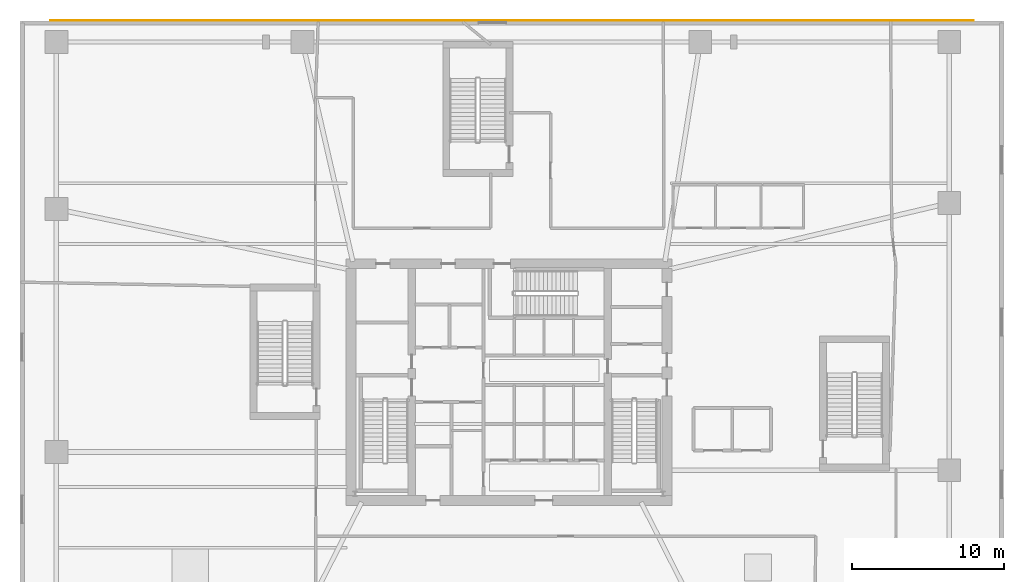
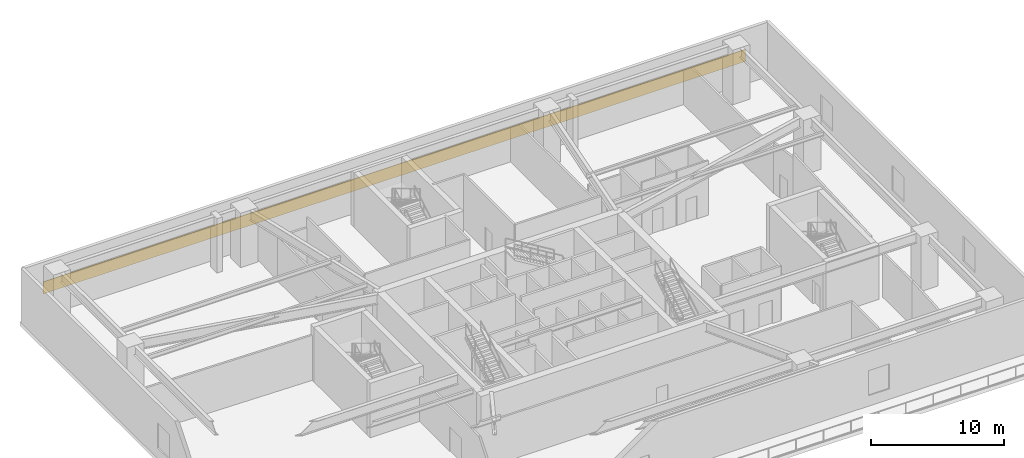
# One storey, part 11 of 11: 1 covering.
"""IFC4 building model written with IfcOpenShell, lengths in metres."""

from ifc_helpers import new_model, si_unit, direction, frame, origin, origin_2d, place, context, subcontext, project, spatial, rectangle, extrude, material, layer, layer_set, type_object, element, save


model = new_model("IFC4")

# Units and contexts
model_context = context("Model", 3, precision=1e-05, world=origin(), true_north=direction((0.0, 1.0)))
body_context = subcontext(model_context, "Body", "Model", "MODEL_VIEW")
ifc_project = project(units=[si_unit("LENGTHUNIT", "METRE"), si_unit("AREAUNIT", "SQUARE_METRE"), si_unit("VOLUMEUNIT", "CUBIC_METRE"), si_unit("PLANEANGLEUNIT", "RADIAN"), si_unit("MASSUNIT", "GRAM", prefix="KILO")], contexts=[model_context])

# Site, building, storey
site_placement = place(None, origin())
site = spatial("IfcSite", under=ifc_project, at=site_placement, CompositionType="ELEMENT")
building_placement = place(site_placement, origin())
building = spatial("IfcBuilding", under=site, at=building_placement, Name="Qarnah Convention Tower", CompositionType="ELEMENT")
storey_placement = place(building_placement, frame((0.0, 0.0, 16.199951171875)))
storey = spatial("IfcBuildingStorey", under=building, at=storey_placement, Name="L03", CompositionType="ELEMENT", Elevation=16.199951171875)

# Covering
ifc_material = material(Name="Precast concrete C45/55", Category="concrete")
ifc_layer = layer(ifc_material, 0.06005859375)
ifc_layer_set = layer_set([ifc_layer], Name="Precast concrete C45/55")
covering_type = type_object("IfcCoveringType", Name="COV-CLAD-60", PredefinedType="CLADDING", material=ifc_layer_set)
covering_placement = place(storey_placement, frame((37.39990234375, 50.219970703125, 1.85009765625), z_axis=(0.0, 0.0, 1.0), x_axis=(1.0, 0.0, 0.0)))
element("IfcCovering", 1, at=covering_placement, inside=storey, type_object=covering_type, Name="L03 limestone precast spandrel cladding", PredefinedType="CLADDING", context=body_context, shape_type="SweptSolid", body=[
    extrude(rectangle(XDim=60.800048828125, YDim=0.06005859375, at=origin_2d()), origin(), (0.0, 0.0, 1.0), 1.10009765625),
])

save(model, "model.ifc")
